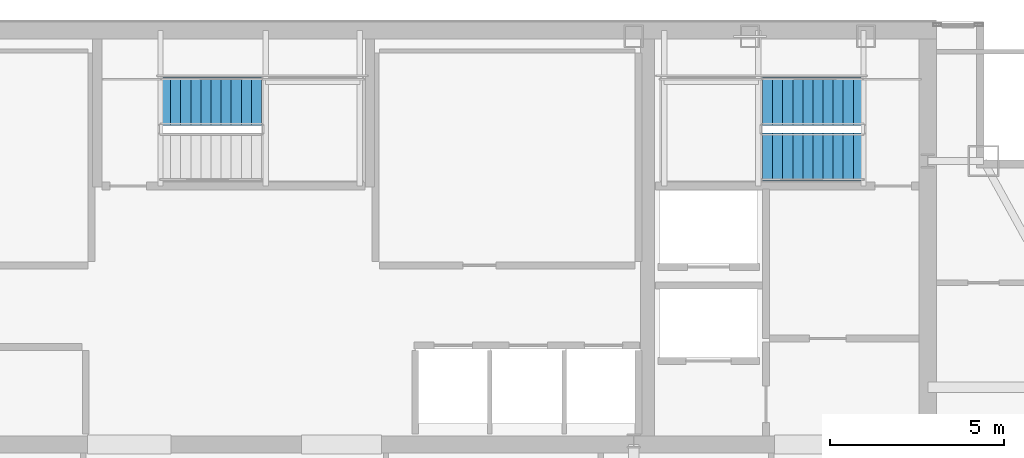
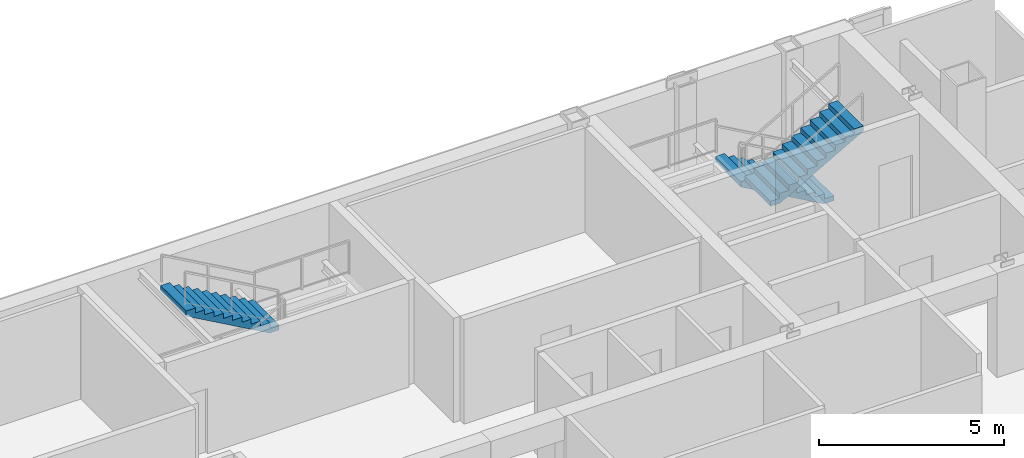
# One storey, part 27 of 29: 3 stair flights, 2 elements without a shape of their own.
"""IFC4 building model written with IfcOpenShell, lengths in metres."""

import ifcopenshell
import ifcopenshell.guid

model = None  # the IFC model being written
_history = None  # IfcOwnerHistory: only IFC2X3 demands one
_inside = {}  # id of a spatial element -> (the spatial element, [elements in it])
_under = {}  # id of a project, library or spatial element -> (it, [spatial elements below it])
_declared = {}  # id of a project -> (the project, [libraries it declares])
_typed = {}  # id of a type object -> (the type object, [elements of that type])
_made_of = {}  # id of a material, layer set ... -> (it, [elements and type objects made of it])


def new_model(schema):
    """Start an empty IFC model of exactly this schema.

    Asked for "IFC4X3", IfcOpenShell would pick the latest addendum, in which some entities
    have other attributes; the version numbers below select the first issue.
    IFC2X3 requires an IfcOwnerHistory on every rooted entity: one is made here for all.
    """
    global model, _history
    if schema == "IFC4X3":
        model = ifcopenshell.file(schema_version=(4, 3, 0, 0))
    else:
        model = ifcopenshell.file(schema=schema)
    _inside.clear()
    _under.clear()
    _declared.clear()
    _typed.clear()
    _made_of.clear()
    _history = None
    if model.schema == "IFC2X3":
        org = make("IfcOrganization", Name="unknown")
        user = make(
            "IfcPersonAndOrganization",
            ThePerson=make("IfcPerson", FamilyName="unknown"),
            TheOrganization=org,
        )
        app = make(
            "IfcApplication",
            ApplicationDeveloper=org,
            Version="unknown",
            ApplicationFullName="unknown",
            ApplicationIdentifier="unknown",
        )
        _history = make(
            "IfcOwnerHistory",
            OwningUser=user,
            OwningApplication=app,
            ChangeAction="ADDED",
            CreationDate=0,
        )
    return model


def make(cls, **values):
    """One entity of the class cls with the attributes given. An attribute that is None is left unset."""
    return model.create_entity(
        cls, **{name: value for name, value in values.items() if value is not None}
    )


def rooted(cls, **values):
    """An entity with a GlobalId (a new one), such as an element, a storey or a relation."""
    return make(cls, GlobalId=ifcopenshell.guid.new(), OwnerHistory=_history, **values)


def si_unit(unit_type, name, prefix=None):
    """IfcSIUnit, for example si_unit("LENGTHUNIT", "METRE", prefix="MILLI")."""
    return make("IfcSIUnit", UnitType=unit_type, Prefix=prefix, Name=name)


def assignment(units):
    """IfcUnitAssignment: the units of a project."""
    return None if units is None else make("IfcUnitAssignment", Units=units)


def point(xyz):
    """IfcCartesianPoint."""
    return None if xyz is None else make("IfcCartesianPoint", Coordinates=xyz)


def direction(xyz):
    """IfcDirection."""
    return None if xyz is None else make("IfcDirection", DirectionRatios=xyz)


def frame(location, z_axis=None, x_axis=None):
    """IfcAxis2Placement3D, a coordinate frame: its origin and axes. An axis left out is left unset."""
    return make(
        "IfcAxis2Placement3D",
        Location=point(location),
        Axis=direction(z_axis),
        RefDirection=direction(x_axis),
    )


def origin():
    """The frame at (0, 0, 0) with its axes left unset."""
    return frame((0.0, 0.0, 0.0))


def place(relative_to, where):
    """IfcLocalPlacement: puts the frame where relative to a parent placement (None: the world)."""
    return make(
        "IfcLocalPlacement", PlacementRelTo=relative_to, RelativePlacement=where
    )


def context(
    kind, dimensions, precision=None, world=None, true_north=None, identifier=None
):
    """IfcGeometricRepresentationContext, for example the 3D "Model" context."""
    return make(
        "IfcGeometricRepresentationContext",
        ContextIdentifier=identifier,
        ContextType=kind,
        CoordinateSpaceDimension=dimensions,
        Precision=precision,
        WorldCoordinateSystem=world,
        TrueNorth=true_north,
    )


def subcontext(parent, identifier, kind, view, scale=None):
    """IfcGeometricRepresentationSubContext, for example "Body" below "Model"."""
    return make(
        "IfcGeometricRepresentationSubContext",
        ContextIdentifier=identifier,
        ContextType=kind,
        ParentContext=parent,
        TargetScale=scale,
        TargetView=view,
    )


def project(units=None, contexts=None):
    """IfcProject with its units and contexts."""
    return rooted(
        "IfcProject",
        Name="project",
        RepresentationContexts=contexts,
        UnitsInContext=assignment(units),
    )


def spatial(cls, under=None, at=None, **own):
    """A site, building, storey or space (cls), placed at a placement, below another one or the project."""
    s = rooted(cls, ObjectPlacement=at, **own)
    if under is not None:
        _under.setdefault(under.id(), (under, []))[1].append(s)
    return s


def polyline(points):
    """IfcPolyline through the points."""
    return make("IfcPolyline", Points=[point(p) for p in points])


def outline(outer, holes=None, kind="AREA"):
    """IfcArbitraryClosedProfileDef: a profile drawn as a closed curve; with holes, ...WithVoids."""
    if holes is None:
        return make("IfcArbitraryClosedProfileDef", ProfileType=kind, OuterCurve=outer)
    return make(
        "IfcArbitraryProfileDefWithVoids",
        ProfileType=kind,
        OuterCurve=outer,
        InnerCurves=holes,
    )


def extrude(swept, where, along, depth):
    """IfcExtrudedAreaSolid: the profile swept, set in the frame where, extruded along a direction by depth."""
    return make(
        "IfcExtrudedAreaSolid",
        SweptArea=swept,
        Position=where,
        ExtrudedDirection=direction(along),
        Depth=depth,
    )


def shape(context_of_items, identifier, shape_type, items):
    """IfcShapeRepresentation: the items that make up one representation, for example the "Body"."""
    return make(
        "IfcShapeRepresentation",
        ContextOfItems=context_of_items,
        RepresentationIdentifier=identifier,
        RepresentationType=shape_type,
        Items=items,
    )


def material(Name=None, Category=None):
    """IfcMaterial."""
    return make("IfcMaterial", Name=Name, Category=Category)


def made_of(thing, what):
    """Note that an element or type object is made of a material, layer set ...; save() writes the relation."""
    if what is not None:
        _made_of.setdefault(what.id(), (what, []))[1].append(thing)
    return thing


def type_object(cls, material=None, **own):
    """A type object (cls), such as IfcWallType, which elements share."""
    return made_of(rooted(cls, **own), material)


def element(
    cls,
    number,
    at=None,
    inside=None,
    cuts=None,
    type_object=None,
    material=None,
    context=None,
    identifier="Body",
    shape_type=None,
    held_by="IfcProductDefinitionShape",
    body=None,
    shapes=None,
    **own,
):
    """One element of the class cls, such as IfcWall. Its Tag is "e" and its number.

    at: its placement. inside: the storey or other place that contains it. cuts: it is an
    opening in that element (IfcRelVoidsElement). A single representation is given by context,
    identifier, shape_type and body (its items); several are given by shapes. held_by: the class
    of the entity that holds the representations. save() writes the other relations.
    """
    e = rooted(cls, Tag="e%d" % number, ObjectPlacement=at, **own)
    if body is not None:
        shapes = [shape(context, identifier, shape_type, body)]
    if shapes is not None:
        e.Representation = make(held_by, Representations=shapes)
    if inside is not None:
        _inside.setdefault(inside.id(), (inside, []))[1].append(e)
    if cuts is not None:
        rooted(
            "IfcRelVoidsElement", RelatingBuildingElement=cuts, RelatedOpeningElement=e
        )
    if type_object is not None:
        _typed.setdefault(type_object.id(), (type_object, []))[1].append(e)
    return made_of(e, material)


def aggregate(whole, parts):
    """IfcRelAggregates: a whole, such as a stair, and the parts it consists of."""
    return rooted("IfcRelAggregates", RelatingObject=whole, RelatedObjects=parts)


def save(model, path):
    """Write the relations noted so far, then the file.

    IfcRelAggregates (storeys below a building ...), IfcRelContainedInSpatialStructure (elements
    in a storey), IfcRelDefinesByType, IfcRelAssociatesMaterial and IfcRelDeclares: one each for
    every whole, place, type object, material and project.
    """
    for whole, parts in _under.values():
        aggregate(whole, parts)
    for where, things in _inside.values():
        rooted(
            "IfcRelContainedInSpatialStructure",
            RelatedElements=things,
            RelatingStructure=where,
        )
    for kind, things in _typed.values():
        rooted("IfcRelDefinesByType", RelatedObjects=things, RelatingType=kind)
    for what, things in _made_of.values():
        rooted("IfcRelAssociatesMaterial", RelatedObjects=things, RelatingMaterial=what)
    for by, libraries in _declared.values():
        rooted("IfcRelDeclares", RelatingContext=by, RelatedDefinitions=libraries)
    model.write(path)


model = new_model("IFC4")

# Units and contexts
model_context = context("Model", 3, precision=1e-05, world=origin(), true_north=direction((0.0, 1.0)))
body_context = subcontext(model_context, "Body", "Model", "MODEL_VIEW")
ifc_project = project(units=[si_unit("LENGTHUNIT", "METRE"), si_unit("AREAUNIT", "SQUARE_METRE"), si_unit("VOLUMEUNIT", "CUBIC_METRE"), si_unit("PLANEANGLEUNIT", "RADIAN"), si_unit("MASSUNIT", "GRAM", prefix="KILO")], contexts=[model_context])

# Site, building, storey
site_placement = place(None, origin())
site = spatial("IfcSite", under=ifc_project, at=site_placement, CompositionType="ELEMENT")
building_placement = place(site_placement, origin())
building = spatial("IfcBuilding", under=site, at=building_placement, Name="Khoronbel Lancet Exchange", CompositionType="ELEMENT")
storey_placement = place(building_placement, frame((0.0, 0.0, 321.800048828125)))
storey = spatial("IfcBuildingStorey", under=building, at=storey_placement, Name="L83", CompositionType="ELEMENT", Elevation=321.800048828125)

# Stair, stair flights
ifc_material = material(Name="Concrete C40/50", Category="concrete")
stair_type = type_object("IfcStairType", Name="STR-CORE150", PredefinedType="HALF_TURN_STAIR", material=ifc_material)
stair_1_placement = place(storey_placement, origin())
stair_1 = element("IfcStair", 1, at=stair_1_placement, inside=storey, type_object=stair_type, Name="L83 Protected Exit Stair ST2", PredefinedType="HALF_TURN_STAIR")
stair_flight_type = type_object("IfcStairFlightType", Name="STF-150", PredefinedType="STRAIGHT", material=ifc_material)
stair_flight_1_placement = place(storey_placement, frame((54.60009765625, 51.409912109375, 0.0), z_axis=(0.0, 0.0, 1.0), x_axis=(-1.0, 0.0, 0.0)))
stair_flight_1 = element("IfcStairFlight", 2, at=stair_flight_1_placement, type_object=stair_flight_type, Name="ST2 flight 1", NumberOfRisers=11, NumberOfTreads=10, PredefinedType="STRAIGHT", RiserHeight=0.163636364, TreadLength=0.29, context=body_context, shape_type="SweptSolid", body=[
    extrude(outline(polyline([(0.0, 0.0), (0.0, 0.16357421875), (0.2900390625, 0.16357421875), (0.2900390625, 0.327392578125), (0.580078125, 0.327392578125), (0.580078125, 0.490966796875), (0.8701171875, 0.490966796875), (0.8701171875, 0.654541015625), (1.159912109375, 0.654541015625), (1.159912109375, 0.818115234375), (1.449951171875, 0.818115234375), (1.449951171875, 0.98193359375), (1.739990234375, 0.98193359375), (1.739990234375, 1.1455078125), (2.030029296875, 1.1455078125), (2.030029296875, 1.30908203125), (2.320068359375, 1.30908203125), (2.320068359375, 1.47265625), (2.610107421875, 1.47265625), (2.610107421875, 1.636474609375), (2.89990234375, 1.636474609375), (2.89990234375, 1.800048828125), (2.89990234375, 1.46435546875), (0.304931640625, 0.0), (0.0, 0.0)])), frame((0.0, 0.68994140625, 0.0), z_axis=(0.0, -1.0, 0.0), x_axis=(1.0, 0.0, 0.0)), (0.0, 0.0, 1.0), 1.3798828125),
])
stair_flight_2_placement = place(storey_placement, frame((51.699951171875, 49.81005859375, 1.800048828125), z_axis=(0.0, 0.0, 1.0), x_axis=(1.0, 0.0, 0.0)))
stair_flight_2 = element("IfcStairFlight", 3, at=stair_flight_2_placement, type_object=stair_flight_type, Name="ST2 flight 2", NumberOfRisers=11, NumberOfTreads=10, PredefinedType="STRAIGHT", RiserHeight=0.163636364, TreadLength=0.29, context=body_context, shape_type="SweptSolid", body=[
    extrude(outline(polyline([(0.0, 0.0), (0.0, 0.16357421875), (0.2900390625, 0.16357421875), (0.2900390625, 0.327392578125), (0.580078125, 0.327392578125), (0.580078125, 0.490966796875), (0.8701171875, 0.490966796875), (0.8701171875, 0.654541015625), (1.159912109375, 0.654541015625), (1.159912109375, 0.818115234375), (1.449951171875, 0.818115234375), (1.449951171875, 0.98193359375), (1.739990234375, 0.98193359375), (1.739990234375, 1.1455078125), (2.030029296875, 1.1455078125), (2.030029296875, 1.30908203125), (2.320068359375, 1.30908203125), (2.320068359375, 1.47265625), (2.610107421875, 1.47265625), (2.610107421875, 1.636474609375), (2.89990234375, 1.636474609375), (2.89990234375, 1.800048828125), (2.89990234375, 1.46435546875), (0.304931640625, 0.0), (0.0, 0.0)])), frame((0.0, 0.68994140625, 0.0), z_axis=(0.0, -1.0, 0.0), x_axis=(1.0, 0.0, 0.0)), (0.0, 0.0, 1.0), 1.3798828125),
])
aggregate(stair_1, [stair_flight_1, stair_flight_2])

# Stair, stair flight
stair_2_placement = place(storey_placement, origin())
stair_2 = element("IfcStair", 4, at=stair_2_placement, inside=storey, type_object=stair_type, Name="L83 Protected Exit Stair ST3", PredefinedType="HALF_TURN_STAIR")
stair_flight_3_placement = place(storey_placement, frame((37.300048828125, 51.409912109375, 1.800048828125), z_axis=(0.0, 0.0, 1.0), x_axis=(-1.0, 0.0, 0.0)))
stair_flight_3 = element("IfcStairFlight", 5, at=stair_flight_3_placement, type_object=stair_flight_type, Name="ST3 flight 2", NumberOfRisers=11, NumberOfTreads=10, PredefinedType="STRAIGHT", RiserHeight=0.163636364, TreadLength=0.29, context=body_context, shape_type="SweptSolid", body=[
    extrude(outline(polyline([(0.0, 0.0), (0.0, 0.16357421875), (0.2900390625, 0.16357421875), (0.2900390625, 0.327392578125), (0.580078125, 0.327392578125), (0.580078125, 0.490966796875), (0.8701171875, 0.490966796875), (0.8701171875, 0.654541015625), (1.159912109375, 0.654541015625), (1.159912109375, 0.818115234375), (1.449951171875, 0.818115234375), (1.449951171875, 0.98193359375), (1.739990234375, 0.98193359375), (1.739990234375, 1.1455078125), (2.030029296875, 1.1455078125), (2.030029296875, 1.30908203125), (2.320068359375, 1.30908203125), (2.320068359375, 1.47265625), (2.610107421875, 1.47265625), (2.610107421875, 1.636474609375), (2.89990234375, 1.636474609375), (2.89990234375, 1.800048828125), (2.89990234375, 1.46435546875), (0.304931640625, 0.0), (0.0, 0.0)])), frame((0.0, 0.68994140625, 0.0), z_axis=(0.0, -1.0, 0.0), x_axis=(1.0, 0.0, 0.0)), (0.0, 0.0, 1.0), 1.3798828125),
])
aggregate(stair_2, [stair_flight_3])

save(model, "model.ifc")
